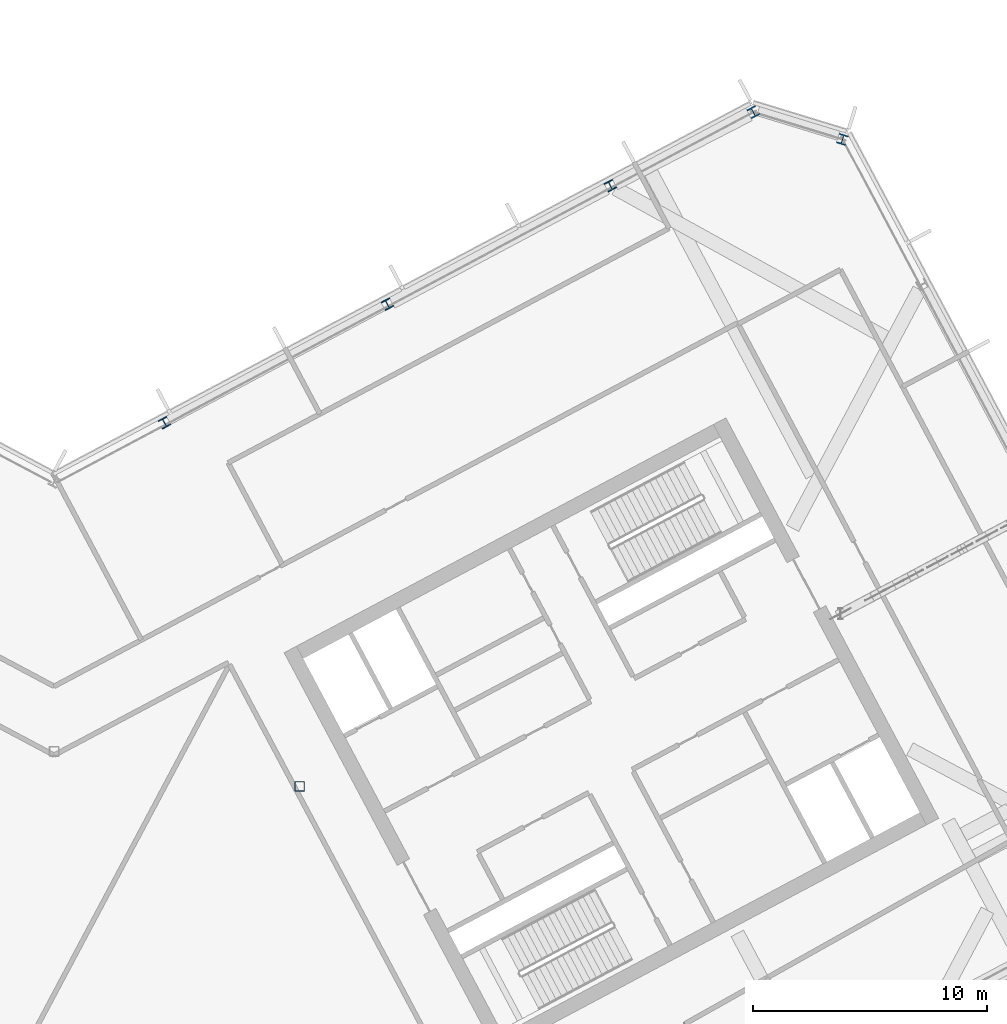
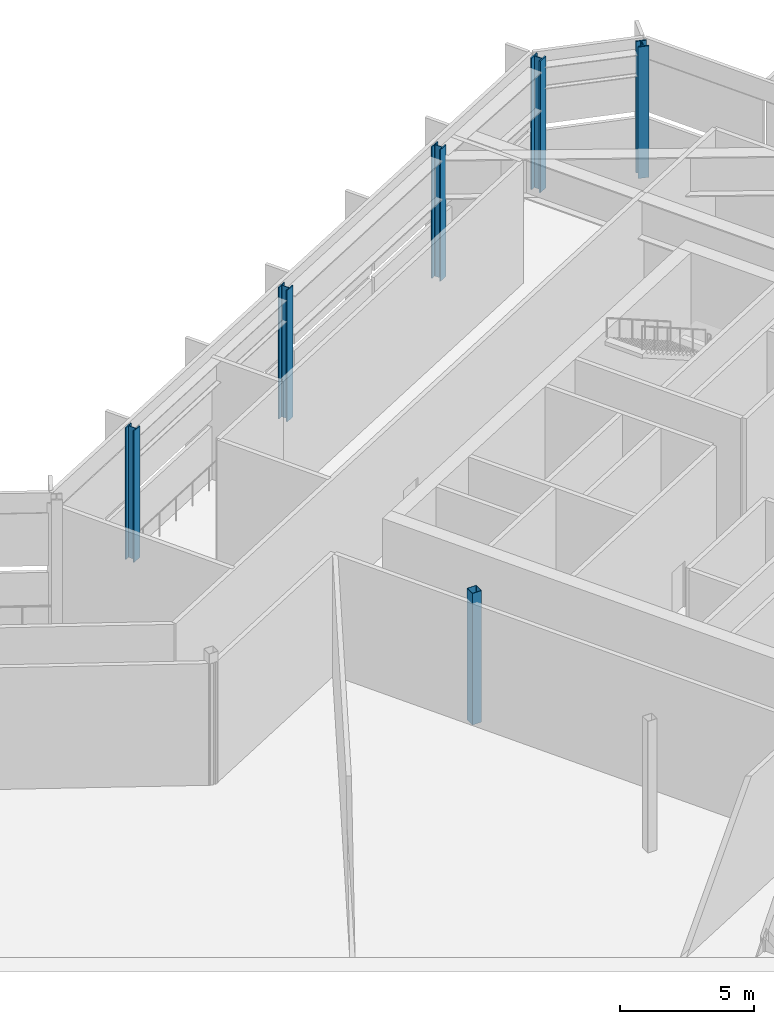
# One storey, part 6 of 33: 6 columns.
"""IFC4 building model written with IfcOpenShell, lengths in metres."""

from ifc_helpers import new_model, si_unit, direction, frame, origin, origin_2d, place, context, subcontext, project, spatial, hollow_rectangle, i_section, extrude, material, material_profile, profile_set, type_object, element, save


model = new_model("IFC4")

# Units and contexts
model_context = context("Model", 3, precision=1e-05, world=origin(), true_north=direction((0.0, 1.0)))
body_context = subcontext(model_context, "Body", "Model", "MODEL_VIEW")
ifc_project = project(units=[si_unit("LENGTHUNIT", "METRE"), si_unit("AREAUNIT", "SQUARE_METRE"), si_unit("VOLUMEUNIT", "CUBIC_METRE"), si_unit("PLANEANGLEUNIT", "RADIAN"), si_unit("MASSUNIT", "GRAM", prefix="KILO")], contexts=[model_context])

# Site, building, storey
site_placement = place(None, origin())
site = spatial("IfcSite", under=ifc_project, at=site_placement, CompositionType="ELEMENT")
building_placement = place(site_placement, origin())
building = spatial("IfcBuilding", under=site, at=building_placement, Name="Cormorant Relay Tower", CompositionType="ELEMENT")
storey_placement = place(building_placement, frame((0.0, 0.0, 252.0)))
storey = spatial("IfcBuildingStorey", under=building, at=storey_placement, Name="L56", CompositionType="ELEMENT", Elevation=252.0)

# Columns
ifc_material_1 = material(Name="Steel ASTM A500 Grade C (Fy 345 MPa)", Category="steel")
ifc_material_profile_1 = material_profile(ifc_material_1, hollow_rectangle(XDim=0.406494140625, YDim=0.406494140625, WallThickness=0.0146484375, InnerFilletRadius=0.00732421875, OuterFilletRadius=0.022216796875, at=origin_2d()), Name="HSS406x406x15")
ifc_profile_set_1 = profile_set([ifc_material_profile_1], Name="Steel ASTM A500 Grade C (Fy 345 MPa)")
column_type_1 = type_object("IfcColumnType", Name="Column HSS406x406x15", PredefinedType="COLUMN", material=ifc_profile_set_1)
column_placement = place(storey_placement, frame((10.5, 10.5, 0.0), z_axis=(0.0, 0.0, 1.0), x_axis=(1.0, 0.0, 0.0)))
element("IfcColumn", 1, at=column_placement, inside=storey, type_object=column_type_1, Name="Column L56-024", PredefinedType="COLUMN", context=body_context, shape_type="SweptSolid", body=[
    extrude(hollow_rectangle(XDim=0.406494140625, YDim=0.406494140625, WallThickness=0.0146484375, InnerFilletRadius=0.00732421875, OuterFilletRadius=0.022216796875, at=origin_2d()), origin(), (0.0, 0.0, 1.0), 6.0),
])
ifc_material_2 = material(Name="Steel ASTM A992 (Fy 345 MPa)", Category="steel")
ifc_material_profile_2 = material_profile(ifc_material_2, i_section(OverallWidth=0.40380859375, OverallDepth=0.406494140625, WebThickness=0.027099609375, FlangeThickness=0.043701171875, FilletRadius=0.01513671875, at=origin_2d()), Name="W360x347")
ifc_profile_set_2 = profile_set([ifc_material_profile_2], Name="Steel ASTM A992 (Fy 345 MPa)")
column_type_2 = type_object("IfcColumnType", Name="Column W360x347", PredefinedType="COLUMN", material=ifc_profile_set_2)
for number, where, z_axis, x_axis, name in (
    (2, (4.719970703125, 26.055908203125, 0.0), (0.0, 0.0, 1.0), (-0.882947592859, -0.469471562786, 0.0), "Column L56-032"),
    (3, (14.256103515625, 31.1259765625, 0.0), (0.0, 0.0, 1.0), (-0.882947592859, -0.469471562786, 0.0), "Column L56-035"),
    (4, (23.7919921875, 36.196044921875, 0.0), (0.0, 0.0, 1.0), (-0.882947592859, -0.469471562786, 0.0), "Column L56-039"),
):
    element("IfcColumn", number, at=place(storey_placement, frame(where, z_axis=z_axis, x_axis=x_axis)), inside=storey, type_object=column_type_2, Name=name, PredefinedType="COLUMN", context=body_context, shape_type="SweptSolid", body=[
        extrude(i_section(OverallWidth=0.40380859375, OverallDepth=0.406494140625, WebThickness=0.027099609375, FlangeThickness=0.043701171875, FilletRadius=0.01513671875, at=origin_2d()), origin(), (0.0, 0.0, 1.0), 6.0),
    ])
ifc_material_3 = material(Name="Steel ASTM A992 (Fy 345 MPa)", Category="steel")
ifc_material_profile_3 = material_profile(ifc_material_3, i_section(OverallWidth=0.41162109375, OverallDepth=0.434326171875, WebThickness=0.035888671875, FlangeThickness=0.057373046875, FilletRadius=0.01513671875, at=origin_2d()), Name="W360x463")
ifc_profile_set_3 = profile_set([ifc_material_profile_3], Name="Steel ASTM A992 (Fy 345 MPa)")
column_type_3 = type_object("IfcColumnType", Name="Column W360x463", PredefinedType="COLUMN", material=ifc_profile_set_3)
for number, where, z_axis, x_axis, name in (
    (5, (33.720947265625, 38.173095703125, 0.0), (0.0, 0.0, 1.0), (-0.956304755963, 0.292371704723, 0.0), "Column L56-041"),
    (6, (29.905029296875, 39.340087890625, 0.0), (0.0, 0.0, 1.0), (-0.882947592859, -0.469471562786, 0.0), "Column L56-043"),
):
    element("IfcColumn", number, at=place(storey_placement, frame(where, z_axis=z_axis, x_axis=x_axis)), inside=storey, type_object=column_type_3, Name=name, PredefinedType="COLUMN", context=body_context, shape_type="SweptSolid", body=[
        extrude(i_section(OverallWidth=0.41162109375, OverallDepth=0.434326171875, WebThickness=0.035888671875, FlangeThickness=0.057373046875, FilletRadius=0.01513671875, at=origin_2d()), origin(), (0.0, 0.0, 1.0), 6.0),
    ])

save(model, "model.ifc")
